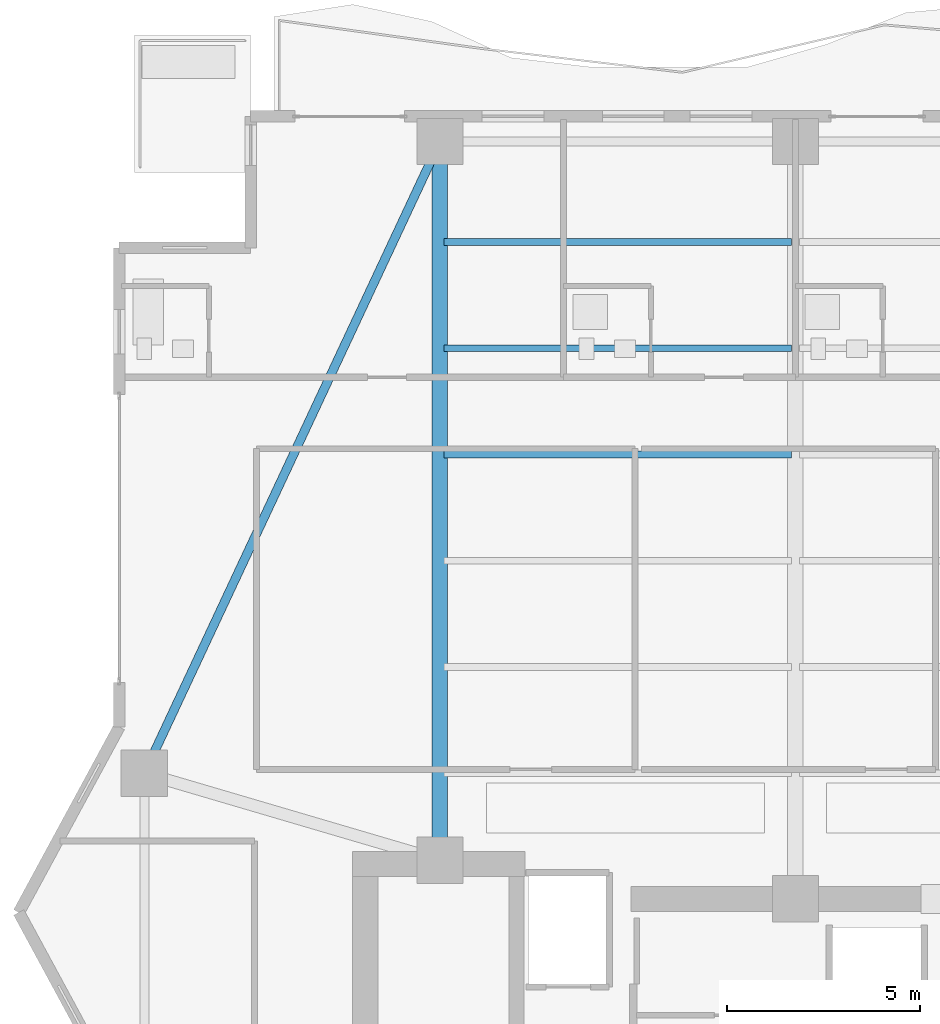
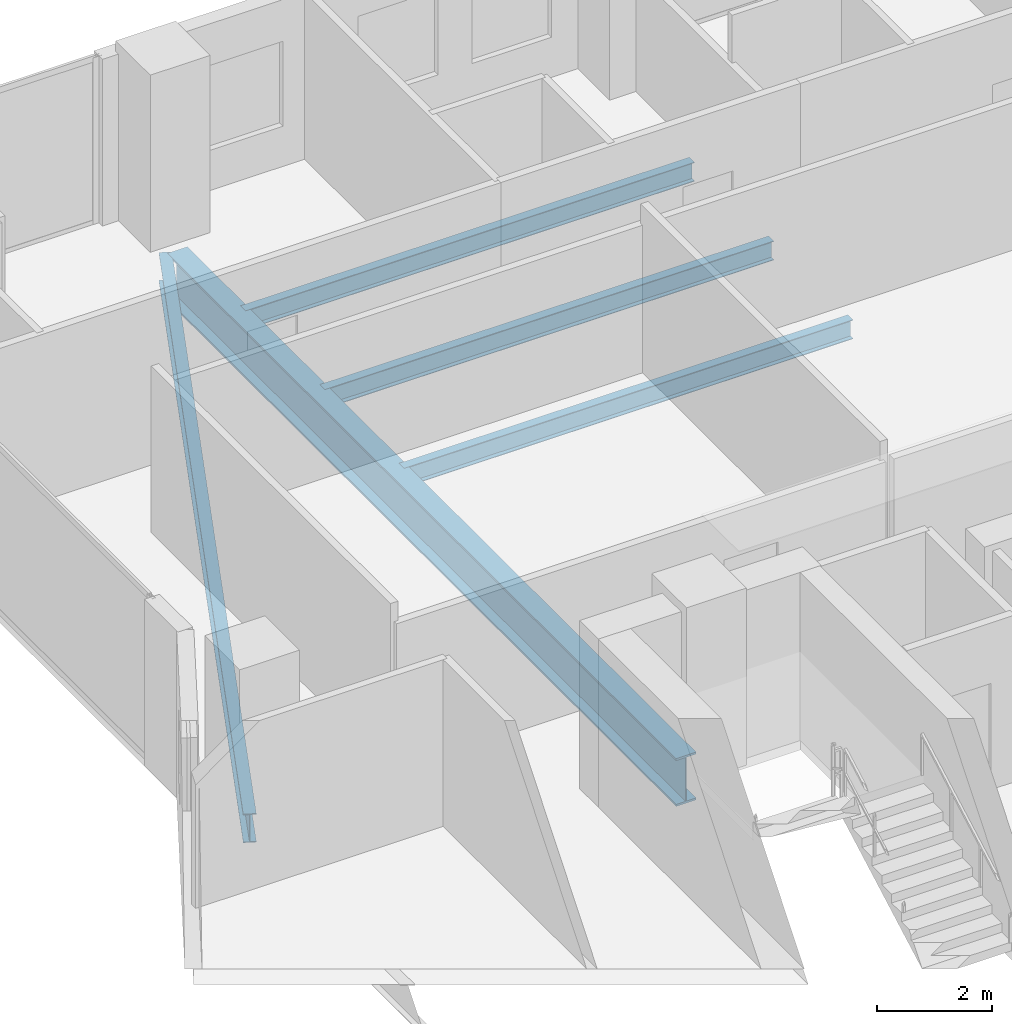
# One storey, part 16 of 32: 5 beams.
"""IFC4 building model written with IfcOpenShell, lengths in metres."""

from ifc_helpers import new_model, si_unit, direction, frame, origin, origin_2d, place, context, subcontext, project, spatial, i_section, extrude, material, material_profile, profile_set, type_object, element, save


model = new_model("IFC4")

# Units and contexts
model_context = context("Model", 3, precision=1e-05, world=origin(), true_north=direction((0.0, 1.0)))
body_context = subcontext(model_context, "Body", "Model", "MODEL_VIEW")
ifc_project = project(units=[si_unit("LENGTHUNIT", "METRE"), si_unit("AREAUNIT", "SQUARE_METRE"), si_unit("VOLUMEUNIT", "CUBIC_METRE"), si_unit("PLANEANGLEUNIT", "RADIAN"), si_unit("MASSUNIT", "GRAM", prefix="KILO")], contexts=[model_context])

# Site, building, storey
site_placement = place(None, origin())
site = spatial("IfcSite", under=ifc_project, at=site_placement, CompositionType="ELEMENT")
building_placement = place(site_placement, origin())
building = spatial("IfcBuilding", under=site, at=building_placement, Name="Zuhayl Quay Hotel", CompositionType="ELEMENT")
storey_placement = place(building_placement, frame((0.0, 0.0, 177.39990234375)))
storey = spatial("IfcBuildingStorey", under=building, at=storey_placement, Name="L44", CompositionType="ELEMENT", Elevation=177.39990234375)

# Beams
ifc_material = material(Name="Steel ASTM A992 Grade 50", Category="steel")
ifc_material_profile_1 = material_profile(ifc_material, i_section(OverallWidth=0.22802734375, OverallDepth=0.60693359375, WebThickness=0.01123046875, FlangeThickness=0.017333984375, at=origin_2d()), Name="W24X76")
ifc_profile_set_1 = profile_set([ifc_material_profile_1], Name="Steel ASTM A992 Grade 50")
beam_type_1 = type_object("IfcBeamType", Name="BM_B3_W24X76", PredefinedType="BEAM", material=ifc_profile_set_1)
beam_1_placement = place(storey_placement, frame((-14.011962890625, 32.4970703125, -0.5234375), z_axis=(-0.423792164429, -0.905759461098, 0.0), x_axis=(0.905759461098, -0.423792164429, 0.0)))
element("IfcBeam", 1, at=beam_1_placement, inside=storey, type_object=beam_type_1, Name="L44 Floor Beam RG_L44_10", PredefinedType="BEAM", context=body_context, shape_type="SweptSolid", body=[
    extrude(i_section(OverallWidth=0.22802734375, OverallDepth=0.60693359375, WebThickness=0.01123046875, FlangeThickness=0.017333984375, at=origin_2d()), origin(), (0.0, 0.0, 1.0), 17.051025390625),
])
ifc_material_profile_2 = material_profile(ifc_material, i_section(OverallWidth=0.177978515625, OverallDepth=0.406005859375, WebThickness=0.0078125, FlangeThickness=0.0126953125, at=origin_2d()), Name="W16X40")
ifc_profile_set_2 = profile_set([ifc_material_profile_2], Name="Steel ASTM A992 Grade 50")
beam_type_2 = type_object("IfcBeamType", Name="BM_J2B_W16X40", PredefinedType="JOIST", material=ifc_profile_set_2)
for number, where, z_axis, x_axis, name in (
    (2, (-13.694091796875, 24.85009765625, -0.4228515625), (1.0, 0.0, 0.0), (0.0, 1.0, 0.0), "L44 Floor Beam FJ_L44_4_1"),
    (3, (-13.694091796875, 27.60009765625, -0.4228515625), (1.0, 0.0, 0.0), (0.0, 1.0, 0.0), "L44 Floor Beam FJ_L44_5_1"),
    (4, (-13.694091796875, 30.35009765625, -0.4228515625), (1.0, 0.0, 0.0), (0.0, 1.0, 0.0), "L44 Floor Beam FJ_L44_6_1"),
):
    element("IfcBeam", number, at=place(storey_placement, frame(where, z_axis=z_axis, x_axis=x_axis)), inside=storey, type_object=beam_type_2, Name=name, PredefinedType="JOIST", context=body_context, shape_type="SweptSolid", body=[
        extrude(i_section(OverallWidth=0.177978515625, OverallDepth=0.406005859375, WebThickness=0.0078125, FlangeThickness=0.0126953125, at=origin_2d()), origin(), (0.0, 0.0, 1.0), 8.988037109375),
    ])
ifc_material_profile_3 = material_profile(ifc_material, i_section(OverallWidth=0.40087890625, OverallDepth=1.010986328125, WebThickness=0.023681640625, FlangeThickness=0.0419921875, at=origin_2d()), Name="W40X297")
ifc_profile_set_3 = profile_set([ifc_material_profile_3], Name="Steel ASTM A992 Grade 50")
beam_type_3 = type_object("IfcBeamType", Name="BM_TG2_W40X297", PredefinedType="BEAM", material=ifc_profile_set_3)
beam_2_placement = place(storey_placement, frame((-13.800048828125, 14.800048828125, -0.725341796875), z_axis=(0.0, 1.0, 0.0), x_axis=(-1.0, 0.0, 0.0)))
element("IfcBeam", 5, at=beam_2_placement, inside=storey, type_object=beam_type_3, Name="L44 Floor Beam FG_N_L44_1", PredefinedType="BEAM", context=body_context, shape_type="SweptSolid", body=[
    extrude(i_section(OverallWidth=0.40087890625, OverallDepth=1.010986328125, WebThickness=0.023681640625, FlangeThickness=0.0419921875, at=origin_2d()), origin(), (0.0, 0.0, 1.0), 17.64990234375),
])

save(model, "model.ifc")
